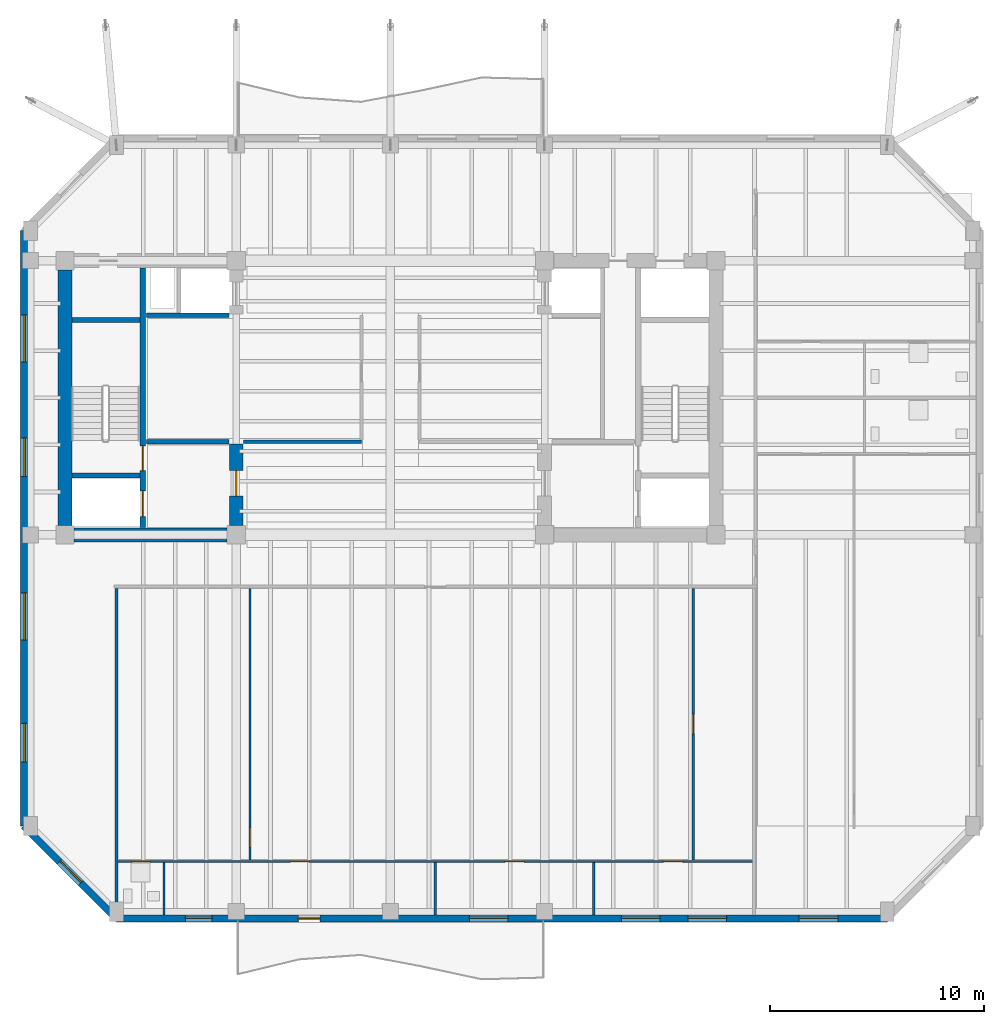
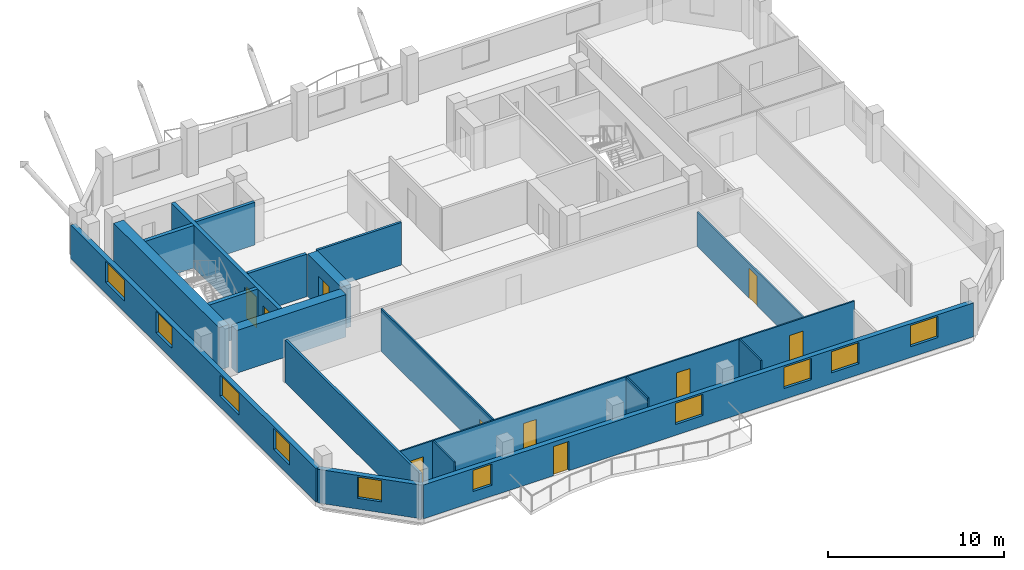
# One storey, part 5 of 11: 19 walls, 10 doors, 10 windows, 20 openings.
"""IFC4 building model written with IfcOpenShell, lengths in metres."""

from ifc_helpers import new_model, si_unit, direction, frame, frame_2d, origin, place, context, subcontext, project, spatial, rectangle, extrude, material, layer, layer_set, type_object, element, fill, save


model = new_model("IFC4")

# Units and contexts
model_context = context("Model", 3, precision=1e-05, world=origin(), true_north=direction((0.0, 1.0)))
body_context = subcontext(model_context, "Body", "Model", "MODEL_VIEW")
ifc_project = project(units=[si_unit("LENGTHUNIT", "METRE"), si_unit("AREAUNIT", "SQUARE_METRE"), si_unit("VOLUMEUNIT", "CUBIC_METRE"), si_unit("PLANEANGLEUNIT", "RADIAN"), si_unit("MASSUNIT", "GRAM", prefix="KILO")], contexts=[model_context])

# Site, building, storey
site_placement = place(None, origin())
site = spatial("IfcSite", under=ifc_project, at=site_placement, CompositionType="ELEMENT")
building_placement = place(site_placement, origin())
building = spatial("IfcBuilding", under=site, at=building_placement, Name="Kranthara Brick Stack", CompositionType="ELEMENT")
storey_placement = place(building_placement, frame((0.0, 0.0, 244.89990234375)))
storey = spatial("IfcBuildingStorey", under=building, at=storey_placement, Name="L64", CompositionType="ELEMENT", Elevation=244.89990234375)

# Wall, openings, door, windows
ifc_material_1 = material(Name="Warm buff clay brick masonry M15", Category="masonry")
ifc_layer_1 = layer(ifc_material_1, 0.320068359375)
ifc_layer_set_1 = layer_set([ifc_layer_1], Name="Warm buff clay brick masonry M15")
wall_type_1 = type_object("IfcWallType", Name="WL-BRK-UPPR-320", PredefinedType="STANDARD", material=ifc_layer_set_1)
wall_1_placement = place(storey_placement, frame((51.199951171875, 2.8798828125, 0.0), z_axis=(0.0, 0.0, 1.0), x_axis=(-1.0, 0.0, 0.0)))
wall_1 = element("IfcWall", 1, at=wall_1_placement, inside=storey, type_object=wall_type_1, Name="L64 Exterior Brick Facade Wall SOUTH 1", PredefinedType="STANDARD", context=body_context, shape_type="SweptSolid", body=[
    extrude(rectangle(XDim=36.0, YDim=0.320068359375, at=frame_2d((18.0, 0.0))), origin(), (0.0, 0.0, 1.0), 2.335205078125),
])
opening_1_placement = place(wall_1_placement, frame((26.5, 0.0, 0.0)))
opening_1 = element("IfcOpeningElement", 2, at=opening_1_placement, cuts=wall_1, Name="Opening D03", PredefinedType="OPENING", context=body_context, shape_type="SweptSolid", body=[
    extrude(rectangle(XDim=1.0, YDim=2.02001953125, at=frame_2d((0.5, 1.010009765625))), frame((0.0, 0.169921875, 0.0), z_axis=(0.0, -1.0, 0.0), x_axis=(1.0, 0.0, 0.0)), (0.0, 0.0, 1.0), 0.340087890625),
])
opening_2_placement = place(wall_1_placement, frame((2.31005859375, 0.0, 0.75)))
opening_2 = element("IfcOpeningElement", 3, at=opening_2_placement, cuts=wall_1, Name="Opening WN07", PredefinedType="OPENING", context=body_context, shape_type="SweptSolid", body=[
    extrude(rectangle(XDim=1.800048828125, YDim=1.465087890625, at=frame_2d((0.89990234375, 0.732421875))), frame((0.0, 0.169921875, 0.0), z_axis=(0.0, -1.0, 0.0), x_axis=(1.0, 0.0, 0.0)), (0.0, 0.0, 1.0), 0.340087890625),
])
opening_3_placement = place(wall_1_placement, frame((7.506103515625, 0.0, 0.75)))
opening_3 = element("IfcOpeningElement", 4, at=opening_3_placement, cuts=wall_1, Name="Opening WN07", PredefinedType="OPENING", context=body_context, shape_type="SweptSolid", body=[
    extrude(rectangle(XDim=1.800048828125, YDim=1.465087890625, at=frame_2d((0.89990234375, 0.732421875))), frame((0.0, 0.169921875, 0.0), z_axis=(0.0, -1.0, 0.0), x_axis=(1.0, 0.0, 0.0)), (0.0, 0.0, 1.0), 0.340087890625),
])
opening_4_placement = place(wall_1_placement, frame((10.618896484375, 0.0, 0.75)))
opening_4 = element("IfcOpeningElement", 5, at=opening_4_placement, cuts=wall_1, Name="Opening WN07", PredefinedType="OPENING", context=body_context, shape_type="SweptSolid", body=[
    extrude(rectangle(XDim=1.800048828125, YDim=1.465087890625, at=frame_2d((0.89990234375, 0.732421875))), frame((0.0, 0.169921875, 0.0), z_axis=(0.0, -1.0, 0.0), x_axis=(1.0, 0.0, 0.0)), (0.0, 0.0, 1.0), 0.340087890625),
])
opening_5_placement = place(wall_1_placement, frame((17.718017578125, 0.0, 0.75)))
opening_5 = element("IfcOpeningElement", 6, at=opening_5_placement, cuts=wall_1, Name="Opening WN07", PredefinedType="OPENING", context=body_context, shape_type="SweptSolid", body=[
    extrude(rectangle(XDim=1.800048828125, YDim=1.465087890625, at=frame_2d((0.89990234375, 0.732421875))), frame((0.0, 0.169921875, 0.0), z_axis=(0.0, -1.0, 0.0), x_axis=(1.0, 0.0, 0.0)), (0.0, 0.0, 1.0), 0.340087890625),
])
opening_6_placement = place(wall_1_placement, frame((31.52294921875, 0.0, 0.75)))
opening_6 = element("IfcOpeningElement", 7, at=opening_6_placement, cuts=wall_1, Name="Opening WN09", PredefinedType="OPENING", context=body_context, shape_type="SweptSolid", body=[
    extrude(rectangle(XDim=1.25, YDim=1.465087890625, at=frame_2d((0.625, 0.732421875))), frame((0.0, 0.169921875, 0.0), z_axis=(0.0, -1.0, 0.0), x_axis=(1.0, 0.0, 0.0)), (0.0, 0.0, 1.0), 0.340087890625),
])
ifc_material_2 = material(Name="Bronze anodised aluminium and laminated glass", Category="aluminium")
door_type_1 = type_object("IfcDoorType", Name="DR-BALC-1000", OperationType="NOTDEFINED", PredefinedType="DOOR", material=ifc_material_2)
door_1_placement = place(opening_1_placement, origin())
door_1 = element("IfcDoor", 8, at=door_1_placement, inside=storey, type_object=door_type_1, Name="L64 South Balcony Terrace Door", OperationType="SINGLE_SWING_LEFT", OverallHeight=2.02001953125, OverallWidth=1.0, PredefinedType="DOOR", context=body_context, shape_type="SweptSolid", body=[
    extrude(rectangle(XDim=1.0, YDim=2.02001953125, at=frame_2d((0.5, 1.010009765625))), frame((0.0, 0.02490234375, 0.0), z_axis=(0.0, -1.0, 0.0), x_axis=(1.0, 0.0, 0.0)), (0.0, 0.0, 1.0), 0.050048828125),
])
fill(opening_1, door_1)
ifc_material_3 = material(Name="Double-glazed low-E solar control glass", Category="glass")
window_type_1 = type_object("IfcWindowType", Name="WN-RES-1250x1850", PartitioningType="SINGLE_PANEL", PredefinedType="WINDOW", material=ifc_material_3)
window_1_placement = place(opening_6_placement, origin())
window_1 = element("IfcWindow", 9, at=window_1_placement, inside=storey, type_object=window_type_1, Name="L64 South Deep-Set Brick Window 05", OverallHeight=1.465087890625, OverallWidth=1.25, PartitioningType="SINGLE_PANEL", PredefinedType="WINDOW", context=body_context, shape_type="SweptSolid", body=[
    extrude(rectangle(XDim=1.25, YDim=1.465087890625, at=frame_2d((0.625, 0.732421875))), frame((0.0, -0.010009765625, 0.0), z_axis=(0.0, -1.0, 0.0), x_axis=(1.0, 0.0, 0.0)), (0.0, 0.0, 1.0), 0.06005859375),
])
fill(opening_6, window_1)
ifc_material_4 = material(Name="Double-glazed low-E solar control glass", Category="glass")
window_type_2 = type_object("IfcWindowType", Name="WN-RES-1800x1850", PartitioningType="DOUBLE_PANEL_VERTICAL", PredefinedType="WINDOW", material=ifc_material_4)
window_2_placement = place(opening_2_placement, origin())
window_2 = element("IfcWindow", 10, at=window_2_placement, inside=storey, type_object=window_type_2, Name="L64 South Deep-Set Brick Window 01", OverallHeight=1.465087890625, OverallWidth=1.800048828125, PartitioningType="SINGLE_PANEL", PredefinedType="WINDOW", context=body_context, shape_type="SweptSolid", body=[
    extrude(rectangle(XDim=1.800048828125, YDim=1.465087890625, at=frame_2d((0.89990234375, 0.732421875))), frame((0.0, -0.010009765625, 0.0), z_axis=(0.0, -1.0, 0.0), x_axis=(1.0, 0.0, 0.0)), (0.0, 0.0, 1.0), 0.06005859375),
])
fill(opening_2, window_2)
window_3_placement = place(opening_3_placement, origin())
window_3 = element("IfcWindow", 11, at=window_3_placement, inside=storey, type_object=window_type_2, Name="L64 South Deep-Set Brick Window 02", OverallHeight=1.465087890625, OverallWidth=1.800048828125, PartitioningType="SINGLE_PANEL", PredefinedType="WINDOW", context=body_context, shape_type="SweptSolid", body=[
    extrude(rectangle(XDim=1.800048828125, YDim=1.465087890625, at=frame_2d((0.89990234375, 0.732421875))), frame((0.0, -0.010009765625, 0.0), z_axis=(0.0, -1.0, 0.0), x_axis=(1.0, 0.0, 0.0)), (0.0, 0.0, 1.0), 0.06005859375),
])
fill(opening_3, window_3)
window_4_placement = place(opening_4_placement, origin())
window_4 = element("IfcWindow", 12, at=window_4_placement, inside=storey, type_object=window_type_2, Name="L64 South Deep-Set Brick Window 03", OverallHeight=1.465087890625, OverallWidth=1.800048828125, PartitioningType="SINGLE_PANEL", PredefinedType="WINDOW", context=body_context, shape_type="SweptSolid", body=[
    extrude(rectangle(XDim=1.800048828125, YDim=1.465087890625, at=frame_2d((0.89990234375, 0.732421875))), frame((0.0, -0.010009765625, 0.0), z_axis=(0.0, -1.0, 0.0), x_axis=(1.0, 0.0, 0.0)), (0.0, 0.0, 1.0), 0.06005859375),
])
fill(opening_4, window_4)
window_5_placement = place(opening_5_placement, origin())
window_5 = element("IfcWindow", 13, at=window_5_placement, inside=storey, type_object=window_type_2, Name="L64 South Deep-Set Brick Window 04", OverallHeight=1.465087890625, OverallWidth=1.800048828125, PartitioningType="SINGLE_PANEL", PredefinedType="WINDOW", context=body_context, shape_type="SweptSolid", body=[
    extrude(rectangle(XDim=1.800048828125, YDim=1.465087890625, at=frame_2d((0.89990234375, 0.732421875))), frame((0.0, -0.010009765625, 0.0), z_axis=(0.0, -1.0, 0.0), x_axis=(1.0, 0.0, 0.0)), (0.0, 0.0, 1.0), 0.06005859375),
])
fill(opening_5, window_5)

# Wall, opening, window
wall_2_placement = place(storey_placement, frame((15.199951171875, 2.8798828125, 0.0), z_axis=(0.0, 0.0, 1.0), x_axis=(-0.707106781187, 0.707106781187, 0.0)))
wall_2 = element("IfcWall", 14, at=wall_2_placement, inside=storey, type_object=wall_type_1, Name="L64 Exterior Brick Facade Wall SW 1", PredefinedType="STANDARD", context=body_context, shape_type="SweptSolid", body=[
    extrude(rectangle(XDim=6.109619140625, YDim=0.320068359375, at=frame_2d((3.0546875, 0.0))), origin(), (0.0, 0.0, 1.0), 2.335205078125),
])
opening_7_placement = place(wall_2_placement, frame((2.35498046875, 0.0, 0.75)))
opening_7 = element("IfcOpeningElement", 15, at=opening_7_placement, cuts=wall_2, Name="Opening WN10", PredefinedType="OPENING", context=body_context, shape_type="SweptSolid", body=[
    extrude(rectangle(XDim=1.39990234375, YDim=1.465087890625, at=frame_2d((0.699951171875, 0.732421875))), frame((0.0, 0.169921875, 0.0), z_axis=(0.0, -1.0, 0.0), x_axis=(1.0, 0.0, 0.0)), (0.0, 0.0, 1.0), 0.340087890625),
])
ifc_material_5 = material(Name="Double-glazed low-E solar control glass", Category="glass")
window_type_3 = type_object("IfcWindowType", Name="WN-CHM-1400x1750", PartitioningType="SINGLE_PANEL", PredefinedType="WINDOW", material=ifc_material_5)
window_6_placement = place(opening_7_placement, origin())
window_6 = element("IfcWindow", 16, at=window_6_placement, inside=storey, type_object=window_type_3, Name="L64 SW Chamfer Corner Window", OverallHeight=1.465087890625, OverallWidth=1.39990234375, PartitioningType="SINGLE_PANEL", PredefinedType="WINDOW", context=body_context, shape_type="SweptSolid", body=[
    extrude(rectangle(XDim=1.39990234375, YDim=1.465087890625, at=frame_2d((0.699951171875, 0.732421875))), frame((0.0, -0.010009765625, 0.0), z_axis=(0.0, -1.0, 0.0), x_axis=(1.0, 0.0, 0.0)), (0.0, 0.0, 1.0), 0.06005859375),
])
fill(opening_7, window_6)

# Wall, openings, windows
wall_3_placement = place(storey_placement, frame((10.8798828125, 7.199951171875, 0.0), z_axis=(0.0, 0.0, 1.0), x_axis=(0.0, 1.0, 0.0)))
wall_3 = element("IfcWall", 17, at=wall_3_placement, inside=storey, type_object=wall_type_1, Name="L64 Exterior Brick Facade Wall WEST 1", PredefinedType="STANDARD", context=body_context, shape_type="SweptSolid", body=[
    extrude(rectangle(XDim=27.800048828125, YDim=0.320068359375, at=frame_2d((13.89990234375, 0.0))), origin(), (0.0, 0.0, 1.0), 2.335205078125),
])
opening_8_placement = place(wall_3_placement, frame((2.991943359375, 0.0, 0.75)))
opening_8 = element("IfcOpeningElement", 18, at=opening_8_placement, cuts=wall_3, Name="Opening WN07", PredefinedType="OPENING", context=body_context, shape_type="SweptSolid", body=[
    extrude(rectangle(XDim=1.800048828125, YDim=1.465087890625, at=frame_2d((0.89990234375, 0.732421875))), frame((0.0, 0.169921875, 0.0), z_axis=(0.0, -1.0, 0.0), x_axis=(1.0, 0.0, 0.0)), (0.0, 0.0, 1.0), 0.340087890625),
])
opening_9_placement = place(wall_3_placement, frame((8.68408203125, 0.0, 0.75)))
opening_9 = element("IfcOpeningElement", 19, at=opening_9_placement, cuts=wall_3, Name="Opening WN08", PredefinedType="OPENING", context=body_context, shape_type="SweptSolid", body=[
    extrude(rectangle(XDim=2.199951171875, YDim=1.465087890625, at=frame_2d((1.10009765625, 0.732421875))), frame((0.0, 0.169921875, 0.0), z_axis=(0.0, -1.0, 0.0), x_axis=(1.0, 0.0, 0.0)), (0.0, 0.0, 1.0), 0.340087890625),
])
opening_10_placement = place(wall_3_placement, frame((16.327880859375, 0.0, 0.75)))
opening_10 = element("IfcOpeningElement", 20, at=opening_10_placement, cuts=wall_3, Name="Opening WN07", PredefinedType="OPENING", context=body_context, shape_type="SweptSolid", body=[
    extrude(rectangle(XDim=1.800048828125, YDim=1.465087890625, at=frame_2d((0.89990234375, 0.732421875))), frame((0.0, 0.169921875, 0.0), z_axis=(0.0, -1.0, 0.0), x_axis=(1.0, 0.0, 0.0)), (0.0, 0.0, 1.0), 0.340087890625),
])
opening_11_placement = place(wall_3_placement, frame((21.672119140625, 0.0, 0.75)))
opening_11 = element("IfcOpeningElement", 21, at=opening_11_placement, cuts=wall_3, Name="Opening WN08", PredefinedType="OPENING", context=body_context, shape_type="SweptSolid", body=[
    extrude(rectangle(XDim=2.199951171875, YDim=1.465087890625, at=frame_2d((1.10009765625, 0.732421875))), frame((0.0, 0.169921875, 0.0), z_axis=(0.0, -1.0, 0.0), x_axis=(1.0, 0.0, 0.0)), (0.0, 0.0, 1.0), 0.340087890625),
])
window_7_placement = place(opening_8_placement, origin())
window_7 = element("IfcWindow", 22, at=window_7_placement, inside=storey, type_object=window_type_2, Name="L64 West Deep-Set Brick Window 01", OverallHeight=1.465087890625, OverallWidth=1.800048828125, PartitioningType="SINGLE_PANEL", PredefinedType="WINDOW", context=body_context, shape_type="SweptSolid", body=[
    extrude(rectangle(XDim=1.800048828125, YDim=1.465087890625, at=frame_2d((0.89990234375, 0.732421875))), frame((0.0, -0.010009765625, 0.0), z_axis=(0.0, -1.0, 0.0), x_axis=(1.0, 0.0, 0.0)), (0.0, 0.0, 1.0), 0.06005859375),
])
fill(opening_8, window_7)
window_8_placement = place(opening_10_placement, origin())
window_8 = element("IfcWindow", 23, at=window_8_placement, inside=storey, type_object=window_type_2, Name="L64 West Deep-Set Brick Window 03", OverallHeight=1.465087890625, OverallWidth=1.800048828125, PartitioningType="SINGLE_PANEL", PredefinedType="WINDOW", context=body_context, shape_type="SweptSolid", body=[
    extrude(rectangle(XDim=1.800048828125, YDim=1.465087890625, at=frame_2d((0.89990234375, 0.732421875))), frame((0.0, -0.010009765625, 0.0), z_axis=(0.0, -1.0, 0.0), x_axis=(1.0, 0.0, 0.0)), (0.0, 0.0, 1.0), 0.06005859375),
])
fill(opening_10, window_8)
ifc_material_6 = material(Name="Double-glazed low-E solar control glass", Category="glass")
window_type_4 = type_object("IfcWindowType", Name="WN-RES-2200x1850", PartitioningType="TRIPLE_PANEL_VERTICAL", PredefinedType="WINDOW", material=ifc_material_6)
window_9_placement = place(opening_9_placement, origin())
window_9 = element("IfcWindow", 24, at=window_9_placement, inside=storey, type_object=window_type_4, Name="L64 West Deep-Set Brick Window 02", OverallHeight=1.465087890625, OverallWidth=2.199951171875, PartitioningType="SINGLE_PANEL", PredefinedType="WINDOW", context=body_context, shape_type="SweptSolid", body=[
    extrude(rectangle(XDim=2.199951171875, YDim=1.465087890625, at=frame_2d((1.10009765625, 0.732421875))), frame((0.0, -0.010009765625, 0.0), z_axis=(0.0, -1.0, 0.0), x_axis=(1.0, 0.0, 0.0)), (0.0, 0.0, 1.0), 0.06005859375),
])
fill(opening_9, window_9)
window_10_placement = place(opening_11_placement, origin())
window_10 = element("IfcWindow", 25, at=window_10_placement, inside=storey, type_object=window_type_4, Name="L64 West Deep-Set Brick Window 04", OverallHeight=1.465087890625, OverallWidth=2.199951171875, PartitioningType="SINGLE_PANEL", PredefinedType="WINDOW", context=body_context, shape_type="SweptSolid", body=[
    extrude(rectangle(XDim=2.199951171875, YDim=1.465087890625, at=frame_2d((1.10009765625, 0.732421875))), frame((0.0, -0.010009765625, 0.0), z_axis=(0.0, -1.0, 0.0), x_axis=(1.0, 0.0, 0.0)), (0.0, 0.0, 1.0), 0.06005859375),
])
fill(opening_11, window_10)

# Wall, openings, doors
ifc_material_7 = material(Name="Concrete C50/60", Category="concrete")
ifc_layer_2 = layer(ifc_material_7, 0.25)
ifc_layer_set_2 = layer_set([ifc_layer_2], Name="Concrete C50/60")
wall_type_2 = type_object("IfcWallType", Name="WL-CORE-250", PredefinedType="SHEAR", material=ifc_layer_set_2)
wall_4_placement = place(storey_placement, frame((16.43505859375, 21.135009765625, 0.0), z_axis=(0.0, 0.0, 1.0), x_axis=(0.0, 1.0, 0.0)))
wall_4 = element("IfcWall", 26, at=wall_4_placement, inside=storey, type_object=wall_type_2, Name="L64 West Core Stair Bearing Spine Wall", PredefinedType="SHEAR", context=body_context, shape_type="SweptSolid", body=[
    extrude(rectangle(XDim=12.1298828125, YDim=0.25, at=frame_2d((6.06494140625, 0.0))), origin(), (0.0, 0.0, 1.0), 2.9501953125),
])
opening_12_placement = place(wall_4_placement, frame((0.514892578125, 0.0, 0.0)))
opening_12 = element("IfcOpeningElement", 27, at=opening_12_placement, cuts=wall_4, Name="Opening LD01", PredefinedType="OPENING", context=body_context, shape_type="SweptSolid", body=[
    extrude(rectangle(XDim=1.199951171875, YDim=2.14990234375, at=frame_2d((0.60009765625, 1.074951171875))), frame((0.0, 0.135009765625, 0.0), z_axis=(0.0, -1.0, 0.0), x_axis=(1.0, 0.0, 0.0)), (0.0, 0.0, 1.0), 0.27001953125),
])
opening_13_placement = place(wall_4_placement, frame((2.6650390625, 0.0, 0.0)))
opening_13 = element("IfcOpeningElement", 28, at=opening_13_placement, cuts=wall_4, Name="Opening D05", PredefinedType="OPENING", context=body_context, shape_type="SweptSolid", body=[
    extrude(rectangle(XDim=1.14990234375, YDim=2.14990234375, at=frame_2d((0.574951171875, 1.074951171875))), frame((0.0, 0.135009765625, 0.0), z_axis=(0.0, -1.0, 0.0), x_axis=(1.0, 0.0, 0.0)), (0.0, 0.0, 1.0), 0.27001953125),
])
ifc_material_8 = material(Name="Stainless steel sliding landing door", Category="steel")
door_type_2 = type_object("IfcDoorType", Name="DR-LD-FF1200", OperationType="DOUBLE_DOOR_SLIDING", PredefinedType="DOOR", material=ifc_material_8)
door_2_placement = place(opening_12_placement, origin())
door_2 = element("IfcDoor", 29, at=door_2_placement, inside=storey, type_object=door_type_2, Name="L64 Firefighting Lift FF-01 Landing Door", OperationType="DOUBLE_DOOR_SLIDING", OverallHeight=2.14990234375, OverallWidth=1.199951171875, PredefinedType="DOOR", context=body_context, shape_type="SweptSolid", body=[
    extrude(rectangle(XDim=1.199951171875, YDim=2.14990234375, at=frame_2d((0.60009765625, 1.074951171875))), frame((0.0, 0.02490234375, 0.0), z_axis=(0.0, -1.0, 0.0), x_axis=(1.0, 0.0, 0.0)), (0.0, 0.0, 1.0), 0.050048828125),
])
fill(opening_12, door_2)
ifc_material_9 = material(Name="Solid-core hardwood timber leaf in steel frame", Category="steel")
door_type_3 = type_object("IfcDoorType", Name="DR-ST-1150", OperationType="NOTDEFINED", PredefinedType="DOOR", material=ifc_material_9)
door_3_placement = place(opening_13_placement, origin())
door_3 = element("IfcDoor", 30, at=door_3_placement, inside=storey, type_object=door_type_3, Name="L64 Exit Stair ST01 Door", OperationType="SINGLE_SWING_RIGHT", OverallHeight=2.14990234375, OverallWidth=1.14990234375, PredefinedType="DOOR", context=body_context, shape_type="SweptSolid", body=[
    extrude(rectangle(XDim=1.14990234375, YDim=2.14990234375, at=frame_2d((0.574951171875, 1.074951171875))), frame((0.0, 0.02490234375, 0.0), z_axis=(0.0, -1.0, 0.0), x_axis=(1.0, 0.0, 0.0)), (0.0, 0.0, 1.0), 0.050048828125),
])
fill(opening_13, door_3)

# Walls
for number, where, z_axis, x_axis, name in (
    (31, (13.135009765625, 23.570068359375, 0.0), (0.0, 0.0, 1.0), (1.0, 0.0, 0.0), "L64 West Stairwell Bearing Wall WFF"),
    (32, (13.135009765625, 30.830078125, 0.0), (0.0, 0.0, 1.0), (1.0, 0.0, 0.0), "L64 West Stairwell Bearing Wall WST"),
):
    element("IfcWall", number, at=place(storey_placement, frame(where, z_axis=z_axis, x_axis=x_axis)), inside=storey, type_object=wall_type_2, Name=name, PredefinedType="SHEAR", context=body_context, shape_type="SweptSolid", body=[
        extrude(rectangle(XDim=3.175048828125, YDim=0.25, at=frame_2d((1.58740234375, 0.0))), origin(), (0.0, 0.0, 1.0), 2.9501953125),
    ])
ifc_material_10 = material(Name="Concrete C60/75", Category="concrete")
ifc_layer_3 = layer(ifc_material_10, 0.64990234375)
ifc_layer_set_3 = layer_set([ifc_layer_3], Name="Concrete C60/75")
wall_type_3 = type_object("IfcWallType", Name="WL-CORE-650", PredefinedType="SHEAR", material=ifc_layer_set_3)
wall_5_placement = place(storey_placement, frame((12.800048828125, 21.22998046875, 0.0), z_axis=(0.0, 0.0, 1.0), x_axis=(0.0, 1.0, 0.0)))
element("IfcWall", 33, at=wall_5_placement, inside=storey, type_object=wall_type_3, Name="L64 West Core Shear Wall West", PredefinedType="SHEAR", context=body_context, shape_type="SweptSolid", body=[
    extrude(rectangle(XDim=11.93994140625, YDim=0.64990234375, at=frame_2d((5.969970703125, 0.0))), origin(), (0.0, 0.0, 1.0), 2.9501953125),
])
wall_6_placement = place(storey_placement, frame((13.22998046875, 20.800048828125, 0.0), z_axis=(0.0, 0.0, 1.0), x_axis=(1.0, 0.0, 0.0)))
element("IfcWall", 34, at=wall_6_placement, inside=storey, type_object=wall_type_3, Name="L64 West Core Shear Wall South", PredefinedType="SHEAR", context=body_context, shape_type="SweptSolid", body=[
    extrude(rectangle(XDim=7.14013671875, YDim=0.64990234375, at=frame_2d((3.570068359375, 0.0))), origin(), (0.0, 0.0, 1.0), 2.9501953125),
])

# Wall, opening, door
wall_7_placement = place(storey_placement, frame((20.800048828125, 21.22998046875, 0.0), z_axis=(0.0, 0.0, 1.0), x_axis=(0.0, 1.0, 0.0)))
wall_7 = element("IfcWall", 35, at=wall_7_placement, inside=storey, type_object=wall_type_3, Name="L64 West Core Lobby Shear Wall", PredefinedType="SHEAR", context=body_context, shape_type="SweptSolid", body=[
    extrude(rectangle(XDim=3.820068359375, YDim=0.64990234375, at=frame_2d((1.91015625, 0.0))), origin(), (0.0, 0.0, 1.0), 2.9501953125),
])
opening_14_placement = place(wall_7_placement, frame((1.3701171875, 0.0, 0.0)))
opening_14 = element("IfcOpeningElement", 36, at=opening_14_placement, cuts=wall_7, Name="Opening D06", PredefinedType="OPENING", context=body_context, shape_type="SweptSolid", body=[
    extrude(rectangle(XDim=1.199951171875, YDim=2.14990234375, at=frame_2d((0.60009765625, 1.074951171875))), frame((0.0, 0.3349609375, 0.0), z_axis=(0.0, -1.0, 0.0), x_axis=(1.0, 0.0, 0.0)), (0.0, 0.0, 1.0), 0.669921875),
])
ifc_material_11 = material(Name="Solid-core hardwood timber leaf in steel frame", Category="steel")
door_type_4 = type_object("IfcDoorType", Name="DR-FFL-1200", OperationType="NOTDEFINED", PredefinedType="DOOR", material=ifc_material_11)
door_4_placement = place(opening_14_placement, origin())
door_4 = element("IfcDoor", 37, at=door_4_placement, inside=storey, type_object=door_type_4, Name="L64 West Firefighting Lobby Door", OperationType="SINGLE_SWING_LEFT", OverallHeight=2.14990234375, OverallWidth=1.199951171875, PredefinedType="DOOR", context=body_context, shape_type="SweptSolid", body=[
    extrude(rectangle(XDim=1.199951171875, YDim=2.14990234375, at=frame_2d((0.60009765625, 1.074951171875))), frame((0.0, 0.02490234375, 0.0), z_axis=(0.0, -1.0, 0.0), x_axis=(1.0, 0.0, 0.0)), (0.0, 0.0, 1.0), 0.050048828125),
])
fill(opening_14, door_4)

# Wall, openings, doors
ifc_material_12 = material(Name="Moisture-resistant wet-room partition", Category="other")
ifc_layer_4 = layer(ifc_material_12, 0.10009765625)
ifc_layer_set_4 = layer_set([ifc_layer_4], Name="Moisture-resistant wet-room partition")
wall_type_4 = type_object("IfcWallType", Name="WL-PART-100", PredefinedType="PARTITIONING", material=ifc_layer_set_4)
wall_8_placement = place(storey_placement, frame((15.280029296875, 5.550048828125, 0.0), z_axis=(0.0, 0.0, 1.0), x_axis=(1.0, 0.0, 0.0)))
wall_8 = element("IfcWall", 38, at=wall_8_placement, inside=storey, type_object=wall_type_4, Name="L64 Interior Partition 007", PredefinedType="PARTITIONING", context=body_context, shape_type="SweptSolid", body=[
    extrude(rectangle(XDim=29.739990234375, YDim=0.10009765625, at=frame_2d((14.8701171875, 0.0))), origin(), (0.0, 0.0, 1.0), 2.9501953125),
])
opening_15_placement = place(wall_8_placement, frame((0.64990234375, 0.0, 0.0)))
opening_15 = element("IfcOpeningElement", 39, at=opening_15_placement, cuts=wall_8, Name="Opening D17", PredefinedType="OPENING", context=body_context, shape_type="SweptSolid", body=[
    extrude(rectangle(XDim=0.85009765625, YDim=2.050048828125, at=frame_2d((0.425048828125, 1.02490234375))), frame((0.0, 0.06005859375, 0.0), z_axis=(0.0, -1.0, 0.0), x_axis=(1.0, 0.0, 0.0)), (0.0, 0.0, 1.0), 0.1201171875),
])
opening_16_placement = place(wall_8_placement, frame((8.054931640625, 0.0, 0.0)))
opening_16 = element("IfcOpeningElement", 40, at=opening_16_placement, cuts=wall_8, Name="Opening D16", PredefinedType="OPENING", context=body_context, shape_type="SweptSolid", body=[
    extrude(rectangle(XDim=0.85009765625, YDim=2.050048828125, at=frame_2d((0.425048828125, 1.02490234375))), frame((0.0, 0.06005859375, 0.0), z_axis=(0.0, -1.0, 0.0), x_axis=(1.0, 0.0, 0.0)), (0.0, 0.0, 1.0), 0.1201171875),
])
opening_17_placement = place(wall_8_placement, frame((18.06201171875, 0.0, 0.0)))
opening_17 = element("IfcOpeningElement", 41, at=opening_17_placement, cuts=wall_8, Name="Opening D15", PredefinedType="OPENING", context=body_context, shape_type="SweptSolid", body=[
    extrude(rectangle(XDim=0.89990234375, YDim=2.050048828125, at=frame_2d((0.449951171875, 1.02490234375))), frame((0.0, 0.06005859375, 0.0), z_axis=(0.0, -1.0, 0.0), x_axis=(1.0, 0.0, 0.0)), (0.0, 0.0, 1.0), 0.1201171875),
])
opening_18_placement = place(wall_8_placement, frame((25.468017578125, 0.0, 0.0)))
opening_18 = element("IfcOpeningElement", 42, at=opening_18_placement, cuts=wall_8, Name="Opening D15", PredefinedType="OPENING", context=body_context, shape_type="SweptSolid", body=[
    extrude(rectangle(XDim=0.89990234375, YDim=2.050048828125, at=frame_2d((0.449951171875, 1.02490234375))), frame((0.0, 0.06005859375, 0.0), z_axis=(0.0, -1.0, 0.0), x_axis=(1.0, 0.0, 0.0)), (0.0, 0.0, 1.0), 0.1201171875),
])
ifc_material_13 = material(Name="Solid-core hardwood timber leaf in steel frame", Category="steel")
door_type_5 = type_object("IfcDoorType", Name="DR-INT-850", OperationType="NOTDEFINED", PredefinedType="DOOR", material=ifc_material_13)
door_5_placement = place(opening_16_placement, origin())
door_5 = element("IfcDoor", 43, at=door_5_placement, inside=storey, type_object=door_type_5, Name="L64 Unit L64A Kitchen 07", OperationType="SINGLE_SWING_LEFT", OverallHeight=2.050048828125, OverallWidth=0.85009765625, PredefinedType="DOOR", context=body_context, shape_type="SweptSolid", body=[
    extrude(rectangle(XDim=0.85009765625, YDim=2.050048828125, at=frame_2d((0.425048828125, 1.02490234375))), frame((0.0, 0.02490234375, 0.0), z_axis=(0.0, -1.0, 0.0), x_axis=(1.0, 0.0, 0.0)), (0.0, 0.0, 1.0), 0.050048828125),
])
fill(opening_16, door_5)
ifc_material_14 = material(Name="Solid-core hardwood timber leaf in steel frame", Category="steel")
door_type_6 = type_object("IfcDoorType", Name="DR-INT-900", OperationType="NOTDEFINED", PredefinedType="DOOR", material=ifc_material_14)
door_6_placement = place(opening_17_placement, origin())
door_6 = element("IfcDoor", 44, at=door_6_placement, inside=storey, type_object=door_type_6, Name="L64 Unit L64A Master Bedroom 08", OperationType="SINGLE_SWING_RIGHT", OverallHeight=2.050048828125, OverallWidth=0.89990234375, PredefinedType="DOOR", context=body_context, shape_type="SweptSolid", body=[
    extrude(rectangle(XDim=0.89990234375, YDim=2.050048828125, at=frame_2d((0.449951171875, 1.02490234375))), frame((0.0, 0.02490234375, 0.0), z_axis=(0.0, -1.0, 0.0), x_axis=(1.0, 0.0, 0.0)), (0.0, 0.0, 1.0), 0.050048828125),
])
fill(opening_17, door_6)
door_7_placement = place(opening_18_placement, origin())
door_7 = element("IfcDoor", 45, at=door_7_placement, inside=storey, type_object=door_type_6, Name="L64 Unit L64A Bedroom 2 09", OperationType="SINGLE_SWING_LEFT", OverallHeight=2.050048828125, OverallWidth=0.89990234375, PredefinedType="DOOR", context=body_context, shape_type="SweptSolid", body=[
    extrude(rectangle(XDim=0.89990234375, YDim=2.050048828125, at=frame_2d((0.449951171875, 1.02490234375))), frame((0.0, 0.02490234375, 0.0), z_axis=(0.0, -1.0, 0.0), x_axis=(1.0, 0.0, 0.0)), (0.0, 0.0, 1.0), 0.050048828125),
])
fill(opening_18, door_7)
ifc_material_15 = material(Name="Solid-core hardwood timber leaf in steel frame", Category="steel")
door_type_7 = type_object("IfcDoorType", Name="DR-WET-850", OperationType="NOTDEFINED", PredefinedType="DOOR", material=ifc_material_15)
door_8_placement = place(opening_15_placement, origin())
door_8 = element("IfcDoor", 46, at=door_8_placement, inside=storey, type_object=door_type_7, Name="L64 Unit L64A Bathroom 06", OperationType="SINGLE_SWING_RIGHT", OverallHeight=2.050048828125, OverallWidth=0.85009765625, PredefinedType="DOOR", context=body_context, shape_type="SweptSolid", body=[
    extrude(rectangle(XDim=0.85009765625, YDim=2.050048828125, at=frame_2d((0.425048828125, 1.02490234375))), frame((0.0, 0.02490234375, 0.0), z_axis=(0.0, -1.0, 0.0), x_axis=(1.0, 0.0, 0.0)), (0.0, 0.0, 1.0), 0.050048828125),
])
fill(opening_15, door_8)

# Wall, opening, door
wall_9_placement = place(storey_placement, frame((42.137939453125, 5.60498046875, 0.0), z_axis=(0.0, 0.0, 1.0), x_axis=(0.0, 1.0, 0.0)))
wall_9 = element("IfcWall", 47, at=wall_9_placement, inside=storey, type_object=wall_type_4, Name="L64 Interior Partition 008", PredefinedType="PARTITIONING", context=body_context, shape_type="SweptSolid", body=[
    extrude(rectangle(XDim=12.695068359375, YDim=0.10009765625, at=frame_2d((6.34765625, 0.0))), origin(), (0.0, 0.0, 1.0), 2.385009765625),
])
opening_19_placement = place(wall_9_placement, frame((5.909912109375, 0.0, 0.0)))
opening_19 = element("IfcOpeningElement", 48, at=opening_19_placement, cuts=wall_9, Name="Opening D15", PredefinedType="OPENING", context=body_context, shape_type="SweptSolid", body=[
    extrude(rectangle(XDim=0.89990234375, YDim=2.050048828125, at=frame_2d((0.449951171875, 1.02490234375))), frame((0.0, 0.06005859375, 0.0), z_axis=(0.0, -1.0, 0.0), x_axis=(1.0, 0.0, 0.0)), (0.0, 0.0, 1.0), 0.1201171875),
])
door_9_placement = place(opening_19_placement, origin())
door_9 = element("IfcDoor", 49, at=door_9_placement, inside=storey, type_object=door_type_6, Name="L64 Unit L64A Bedroom 3 04", OperationType="SINGLE_SWING_RIGHT", OverallHeight=2.050048828125, OverallWidth=0.89990234375, PredefinedType="DOOR", context=body_context, shape_type="SweptSolid", body=[
    extrude(rectangle(XDim=0.89990234375, YDim=2.050048828125, at=frame_2d((0.449951171875, 1.02490234375))), frame((0.0, 0.02490234375, 0.0), z_axis=(0.0, -1.0, 0.0), x_axis=(1.0, 0.0, 0.0)), (0.0, 0.0, 1.0), 0.050048828125),
])
fill(opening_19, door_9)

wall_10_placement = place(storey_placement, frame((21.43603515625, 5.60498046875, 0.0), z_axis=(0.0, 0.0, 1.0), x_axis=(0.0, 1.0, 0.0)))
wall_10 = element("IfcWall", 50, at=wall_10_placement, inside=storey, type_object=wall_type_4, Name="L64 Interior Partition 009", PredefinedType="PARTITIONING", context=body_context, shape_type="SweptSolid", body=[
    extrude(rectangle(XDim=12.695068359375, YDim=0.10009765625, at=frame_2d((6.34765625, 0.0))), origin(), (0.0, 0.0, 1.0), 2.9501953125),
])
opening_20_placement = place(wall_10_placement, frame((0.60498046875, 0.0, 0.0)))
opening_20 = element("IfcOpeningElement", 51, at=opening_20_placement, cuts=wall_10, Name="Opening D15", PredefinedType="OPENING", context=body_context, shape_type="SweptSolid", body=[
    extrude(rectangle(XDim=0.89990234375, YDim=2.050048828125, at=frame_2d((0.449951171875, 1.02490234375))), frame((0.0, 0.06005859375, 0.0), z_axis=(0.0, -1.0, 0.0), x_axis=(1.0, 0.0, 0.0)), (0.0, 0.0, 1.0), 0.1201171875),
])
door_10_placement = place(opening_20_placement, origin())
door_10 = element("IfcDoor", 52, at=door_10_placement, inside=storey, type_object=door_type_6, Name="L64 Unit L64A Study 05", OperationType="SINGLE_SWING_LEFT", OverallHeight=2.050048828125, OverallWidth=0.89990234375, PredefinedType="DOOR", context=body_context, shape_type="SweptSolid", body=[
    extrude(rectangle(XDim=0.89990234375, YDim=2.050048828125, at=frame_2d((0.449951171875, 1.02490234375))), frame((0.0, 0.02490234375, 0.0), z_axis=(0.0, -1.0, 0.0), x_axis=(1.0, 0.0, 0.0)), (0.0, 0.0, 1.0), 0.050048828125),
])
fill(opening_20, door_10)

# Walls
for number, where, z_axis, x_axis, name in (
    (53, (17.429931640625, 3.044921875, 0.0), (0.0, 0.0, 1.0), (0.0, 1.0, 0.0), "L64 Interior Partition 010"),
    (54, (30.090087890625, 3.044921875, 0.0), (0.0, 0.0, 1.0), (0.0, 1.0, 0.0), "L64 Interior Partition 011"),
    (55, (37.4951171875, 3.044921875, 0.0), (0.0, 0.0, 1.0), (0.0, 1.0, 0.0), "L64 Interior Partition 012"),
):
    element("IfcWall", number, at=place(storey_placement, frame(where, z_axis=z_axis, x_axis=x_axis)), inside=storey, type_object=wall_type_4, Name=name, PredefinedType="PARTITIONING", context=body_context, shape_type="SweptSolid", body=[
        extrude(rectangle(XDim=2.4501953125, YDim=0.10009765625, at=frame_2d((1.22509765625, 0.0))), origin(), (0.0, 0.0, 1.0), 2.9501953125),
    ])
ifc_material_16 = material(Name="Fire-rated gypsum board partition", Category="other")
ifc_layer_5 = layer(ifc_material_16, 0.14990234375)
ifc_layer_set_5 = layer_set([ifc_layer_5], Name="Fire-rated gypsum board partition")
wall_type_5 = type_object("IfcWallType", Name="WL-PART-150", PredefinedType="PARTITIONING", material=ifc_layer_set_5)
wall_11_placement = place(storey_placement, frame((21.1298828125, 25.14990234375, 0.0), z_axis=(0.0, 0.0, 1.0), x_axis=(1.0, 0.0, 0.0)))
element("IfcWall", 56, at=wall_11_placement, inside=storey, type_object=wall_type_5, Name="L64 Interior Partition 001", PredefinedType="PARTITIONING", context=body_context, shape_type="SweptSolid", body=[
    extrude(rectangle(XDim=5.52001953125, YDim=0.14990234375, at=frame_2d((2.760009765625, 0.0))), origin(), (0.0, 0.0, 1.0), 2.9501953125),
])
wall_12_placement = place(storey_placement, frame((15.199951171875, 3.044921875, 0.0), z_axis=(0.0, 0.0, 1.0), x_axis=(0.0, 1.0, 0.0)))
element("IfcWall", 57, at=wall_12_placement, inside=storey, type_object=wall_type_5, Name="L64 Interior Partition 006", PredefinedType="PARTITIONING", context=body_context, shape_type="SweptSolid", body=[
    extrude(rectangle(XDim=15.255126953125, YDim=0.14990234375, at=frame_2d((7.62744140625, 0.0))), origin(), (0.0, 0.0, 1.0), 2.9501953125),
])
ifc_material_17 = material(Name="Concrete C40/50", Category="concrete")
ifc_layer_6 = layer(ifc_material_17, 0.199951171875)
ifc_layer_set_6 = layer_set([ifc_layer_6], Name="Concrete C40/50")
wall_type_6 = type_object("IfcWallType", Name="WL-PART-200", PredefinedType="SOLIDWALL", material=ifc_layer_set_6)
for number, where, z_axis, x_axis, name in (
    (58, (16.60009765625, 25.14990234375, 0.0), (0.0, 0.0, 1.0), (1.0, 0.0, 0.0), "L64 West Core Cross Wall WFL"),
    (59, (16.60009765625, 31.050048828125, 0.0), (0.0, 0.0, 1.0), (1.0, 0.0, 0.0), "L64 West Core Cross Wall WH4"),
):
    element("IfcWall", number, at=place(storey_placement, frame(where, z_axis=z_axis, x_axis=x_axis)), inside=storey, type_object=wall_type_6, Name=name, PredefinedType="SOLIDWALL", context=body_context, shape_type="SweptSolid", body=[
        extrude(rectangle(XDim=3.849853515625, YDim=0.199951171875, at=frame_2d((1.9248046875, 0.0))), origin(), (0.0, 0.0, 1.0), 2.9501953125),
    ])

save(model, "model.ifc")
